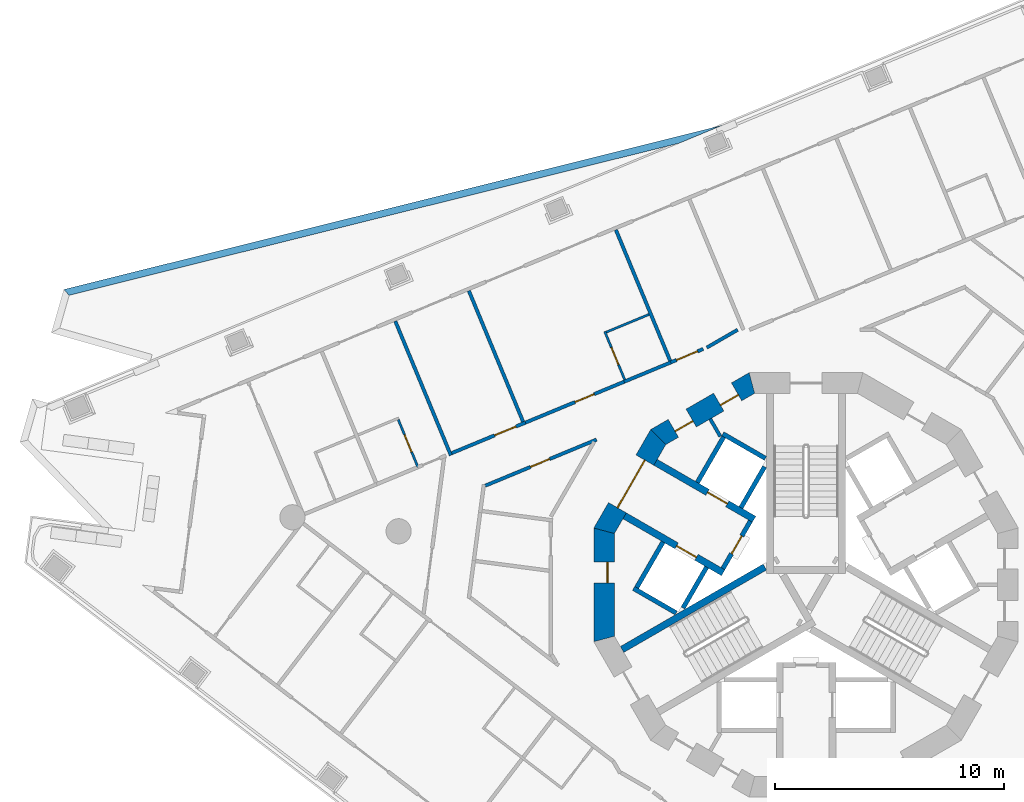
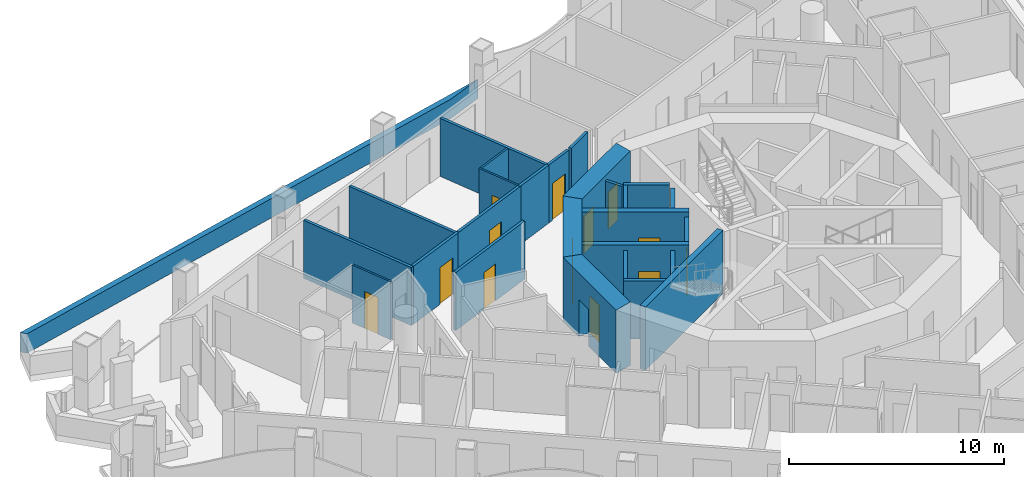
# One storey, part 7 of 19: 27 walls, 13 doors, 13 openings.
"""IFC4 building model written with IfcOpenShell, lengths in metres."""

from ifc_helpers import new_model, si_unit, direction, frame, frame_2d, origin, place, context, subcontext, project, spatial, polyline, rectangle, outline, extrude, material, layer, layer_set, type_object, element, fill, save


model = new_model("IFC4")

# Units and contexts
model_context = context("Model", 3, precision=1e-05, world=origin(), true_north=direction((0.0, 1.0)))
body_context = subcontext(model_context, "Body", "Model", "MODEL_VIEW")
ifc_project = project(units=[si_unit("LENGTHUNIT", "METRE"), si_unit("AREAUNIT", "SQUARE_METRE"), si_unit("VOLUMEUNIT", "CUBIC_METRE"), si_unit("PLANEANGLEUNIT", "RADIAN"), si_unit("MASSUNIT", "GRAM", prefix="KILO")], contexts=[model_context])

# Site, building, storey
site_placement = place(None, origin())
site = spatial("IfcSite", under=ifc_project, at=site_placement, CompositionType="ELEMENT")
building_placement = place(site_placement, origin())
building = spatial("IfcBuilding", under=site, at=building_placement, Name="Trine Commons Tower", CompositionType="ELEMENT")
storey_placement = place(building_placement, frame((0.0, 0.0, 124.199951171875)))
storey = spatial("IfcBuildingStorey", under=building, at=storey_placement, Name="L31", CompositionType="ELEMENT", Elevation=124.199951171875)

# Wall
ifc_material_1 = material(Name="Plasterboard partition on steel studs", Category="steel")
ifc_layer_1 = layer(ifc_material_1, 0.14990234375)
ifc_layer_set_1 = layer_set([ifc_layer_1], Name="Plasterboard partition on steel studs")
wall_type_1 = type_object("IfcWallType", Name="Core room partition 150 mm, EI 60", PredefinedType="PARTITIONING", material=ifc_layer_set_1)
wall_1_placement = place(storey_placement, frame((75.81396484375, 69.7509765625, 0.0), z_axis=(0.0, 0.0, 1.0), x_axis=(0.499890179513, -0.866088799389, 0.0)))
element("IfcWall", 1, at=wall_1_placement, inside=storey, type_object=wall_type_1, Name="Core room partition L31", PredefinedType="PARTITIONING", context=body_context, shape_type="SweptSolid", body=[
    extrude(rectangle(XDim=0.882080078125, YDim=0.14990234375, at=frame_2d((0.44091796875, 0.0))), origin(), (0.0, 0.0, 1.0), 3.300048828125),
])

# Wall, opening, door
ifc_material_2 = material(Name="Fire-rated gypsum shaft wall system")
ifc_layer_2 = layer(ifc_material_2, 0.199951171875)
ifc_layer_set_2 = layer_set([ifc_layer_2], Name="Fire-rated gypsum shaft wall system")
wall_type_2 = type_object("IfcWallType", Name="Lobby end wall 200 mm, EI 120", PredefinedType="PARTITIONING", material=ifc_layer_set_2)
wall_2_placement = place(storey_placement, frame((77.569091796875, 65.2890625, 0.0), z_axis=(0.0, 0.0, 1.0), x_axis=(-0.50012165622, -0.865955154139, 0.0)))
wall_2 = element("IfcWall", 2, at=wall_2_placement, inside=storey, type_object=wall_type_2, Name="Lobby end wall L31", PredefinedType="PARTITIONING", context=body_context, shape_type="SweptSolid", body=[
    extrude(rectangle(XDim=2.39990234375, YDim=0.199951171875, at=frame_2d((1.199951171875, 0.0))), origin(), (0.0, 0.0, 1.0), 3.300048828125),
])
opening_1_placement = place(wall_2_placement, frame((0.749755859375, 0.0, 0.0)))
opening_1 = element("IfcOpeningElement", 3, at=opening_1_placement, cuts=wall_2, Name="Opening K10.07", PredefinedType="OPENING", context=body_context, shape_type="SweptSolid", body=[
    extrude(rectangle(XDim=0.89990234375, YDim=2.10009765625, at=frame_2d((0.449951171875, 1.050048828125))), frame((0.0, 0.10986328125, 0.0), z_axis=(0.0, -1.0, 0.0), x_axis=(1.0, 0.0, 0.0)), (0.0, 0.0, 1.0), 0.219970703125),
])
ifc_material_3 = material(Name="Steel door leaf, fire-rated", Category="steel")
door_type_1 = type_object("IfcDoorType", Name="Riser access door, single leaf 900 x 2100, FD60", OperationType="SINGLE_SWING_LEFT", PredefinedType="DOOR", material=ifc_material_3)
door_1_placement = place(opening_1_placement, frame((0.89990234375, 0.0, 0.0), z_axis=(0.0, 0.0, 1.0), x_axis=(-1.0, 0.0, 0.0)))
door_1 = element("IfcDoor", 4, at=door_1_placement, inside=storey, type_object=door_type_1, Name="Riser door, Mechanical riser L31", OperationType="SINGLE_SWING_RIGHT", OverallHeight=2.10009765625, OverallWidth=0.89990234375, PredefinedType="DOOR", context=body_context, shape_type="SweptSolid", body=[
    extrude(rectangle(XDim=0.89990234375, YDim=2.10009765625, at=frame_2d((0.449951171875, 1.050048828125))), frame((0.0, 0.02490234375, 0.0), z_axis=(0.0, -1.0, 0.0), x_axis=(1.0, 0.0, 0.0)), (0.0, 0.0, 1.0), 0.050048828125),
])
fill(opening_1, door_1)

ifc_material_4 = material(Name="Concrete C70/85", Category="concrete")
ifc_layer_3 = layer(ifc_material_4, 0.300048828125)
ifc_layer_set_3 = layer_set([ifc_layer_3], Name="Concrete C70/85")
wall_type_3 = type_object("IfcWallType", Name="RC shear wall 300 mm, C70/85", PredefinedType="SHEAR", material=ifc_layer_set_3)
wall_3_placement = place(storey_placement, frame((76.381103515625, 63.031005859375, 0.0), z_axis=(0.0, 0.0, 1.0), x_axis=(-0.866080953719, 0.499903772346, 0.0)))
wall_3 = element("IfcWall", 5, at=wall_3_placement, inside=storey, type_object=wall_type_3, Name="Core cross wall SWB-01 L31", PredefinedType="SHEAR", context=body_context, shape_type="SweptSolid", body=[
    extrude(rectangle(XDim=4.97314453125, YDim=0.300048828125, at=frame_2d((2.486572265625, 0.0))), origin(), (0.0, 0.0, 1.0), 3.60009765625),
])
opening_2_placement = place(wall_3_placement, frame((1.350341796875, 0.0, 0.0)))
opening_2 = element("IfcOpeningElement", 6, at=opening_2_placement, cuts=wall_3, Name="Opening LD7", PredefinedType="OPENING", context=body_context, shape_type="SweptSolid", body=[
    extrude(rectangle(XDim=1.0, YDim=2.10009765625, at=frame_2d((0.5, 1.050048828125))), frame((0.0, 0.159912109375, 0.0), z_axis=(0.0, -1.0, 0.0), x_axis=(1.0, 0.0, 0.0)), (0.0, 0.0, 1.0), 0.320068359375),
])
ifc_material_5 = material(Name="Stainless steel sliding door leaves", Category="steel")
door_type_2 = type_object("IfcDoorType", Name="Lift landing door, centre-opening sliding 1000 x 2100, FD90", OperationType="DOUBLE_DOOR_SLIDING", PredefinedType="DOOR", material=ifc_material_5)
door_2_placement = place(opening_2_placement, origin())
door_2 = element("IfcDoor", 7, at=door_2_placement, inside=storey, type_object=door_type_2, Name="Lift landing door HR3 L31", OperationType="DOUBLE_DOOR_SLIDING", OverallHeight=2.10009765625, OverallWidth=1.0, PredefinedType="DOOR", context=body_context, shape_type="SweptSolid", body=[
    extrude(rectangle(XDim=1.0, YDim=2.10009765625, at=frame_2d((0.5, 1.050048828125))), frame((0.0, 0.02490234375, 0.0), z_axis=(0.0, -1.0, 0.0), x_axis=(1.0, 0.0, 0.0)), (0.0, 0.0, 1.0), 0.050048828125),
])
fill(opening_2, door_2)

wall_4_placement = place(storey_placement, frame((77.73095703125, 65.368896484375, 0.0), z_axis=(0.0, 0.0, 1.0), x_axis=(-0.865983655544, 0.500072303102, 0.0)))
wall_4 = element("IfcWall", 8, at=wall_4_placement, inside=storey, type_object=wall_type_3, Name="Core cross wall SWB-02 L31", PredefinedType="SHEAR", context=body_context, shape_type="SweptSolid", body=[
    extrude(rectangle(XDim=4.973388671875, YDim=0.300048828125, at=frame_2d((2.48681640625, 0.0))), origin(), (0.0, 0.0, 1.0), 3.60009765625),
])
opening_3_placement = place(wall_4_placement, frame((1.3505859375, 0.0, 0.0)))
opening_3 = element("IfcOpeningElement", 9, at=opening_3_placement, cuts=wall_4, Name="Opening LD8", PredefinedType="OPENING", context=body_context, shape_type="SweptSolid", body=[
    extrude(rectangle(XDim=1.0, YDim=2.10009765625, at=frame_2d((0.5, 1.050048828125))), frame((0.0, 0.159912109375, 0.0), z_axis=(0.0, -1.0, 0.0), x_axis=(1.0, 0.0, 0.0)), (0.0, 0.0, 1.0), 0.320068359375),
])
door_3_placement = place(opening_3_placement, origin())
door_3 = element("IfcDoor", 10, at=door_3_placement, inside=storey, type_object=door_type_2, Name="Lift landing door HR4 L31", OperationType="DOUBLE_DOOR_SLIDING", OverallHeight=2.10009765625, OverallWidth=1.0, PredefinedType="DOOR", context=body_context, shape_type="SweptSolid", body=[
    extrude(rectangle(XDim=1.0, YDim=2.10009765625, at=frame_2d((0.5, 1.050048828125))), frame((0.0, 0.02490234375, 0.0), z_axis=(0.0, -1.0, 0.0), x_axis=(1.0, 0.0, 0.0)), (0.0, 0.0, 1.0), 0.050048828125),
])
fill(opening_3, door_3)

# Wall
wall_5_placement = place(storey_placement, frame((78.199951171875, 63.280029296875, 0.0), z_axis=(0.0, 0.0, 1.0), x_axis=(-0.866028135082, -0.499995269223, 0.0)))
element("IfcWall", 11, at=wall_5_placement, inside=storey, type_object=wall_type_3, Name="Core cross wall SWB-07 L31", PredefinedType="SHEAR", context=body_context, shape_type="SweptSolid", body=[
    extrude(rectangle(XDim=7.2041015625, YDim=0.300048828125, at=frame_2d((3.60205078125, 0.0))), origin(), (0.0, 0.0, 1.0), 3.60009765625),
])

# Wall, openings, doors
ifc_layer_4 = layer(ifc_material_4, 0.89990234375)
ifc_layer_set_4 = layer_set([ifc_layer_4], Name="Concrete C70/85")
wall_type_4 = type_object("IfcWallType", Name="RC shear wall 900 mm, C70/85", PredefinedType="SHEAR", material=ifc_layer_set_4)
wall_6_placement = place(storey_placement, frame((77.740234375, 71.38330078125, 0.0), z_axis=(0.0, 0.0, 1.0), x_axis=(-0.866003133579, -0.500038571144, 0.0)))
wall_6 = element("IfcWall", 12, at=wall_6_placement, inside=storey, type_object=wall_type_4, Name="Core wall CWD-05 L31", PredefinedType="SHEAR", context=body_context, shape_type="SweptSolid", body=[
    extrude(outline(polyline([(0.0, -0.449951171875), (4.96923828125, -0.449951171875), (4.72802734375, 0.449951171875), (0.2412109375, 0.449951171875), (0.0, -0.449951171875)])), origin(), (0.0, 0.0, 1.0), 3.60009765625),
])
opening_4_placement = place(wall_6_placement, frame((0.89501953125, 0.0, 0.0)))
opening_4 = element("IfcOpeningElement", 13, at=opening_4_placement, cuts=wall_6, Name="Opening K10.13", PredefinedType="OPENING", context=body_context, shape_type="SweptSolid", body=[
    extrude(rectangle(XDim=0.89990234375, YDim=2.10009765625, at=frame_2d((0.449951171875, 1.050048828125))), frame((0.0, 0.4599609375, 0.0), z_axis=(0.0, -1.0, 0.0), x_axis=(1.0, 0.0, 0.0)), (0.0, 0.0, 1.0), 0.919921875),
])
opening_5_placement = place(wall_6_placement, frame((3.18408203125, 0.0, 0.0)))
opening_5 = element("IfcOpeningElement", 14, at=opening_5_placement, cuts=wall_6, Name="Opening K10.14", PredefinedType="OPENING", context=body_context, shape_type="SweptSolid", body=[
    extrude(rectangle(XDim=0.89990234375, YDim=2.10009765625, at=frame_2d((0.449951171875, 1.050048828125))), frame((0.0, 0.4599609375, 0.0), z_axis=(0.0, -1.0, 0.0), x_axis=(1.0, 0.0, 0.0)), (0.0, 0.0, 1.0), 0.919921875),
])
door_type_3 = type_object("IfcDoorType", Name="Core room door, single leaf 900 x 2100, FD30S", OperationType="SINGLE_SWING_LEFT", PredefinedType="DOOR", material=ifc_material_3)
door_4_placement = place(opening_4_placement, origin())
door_4 = element("IfcDoor", 15, at=door_4_placement, inside=storey, type_object=door_type_3, Name="Door to Parcel store L31", OperationType="SINGLE_SWING_LEFT", OverallHeight=2.10009765625, OverallWidth=0.89990234375, PredefinedType="DOOR", context=body_context, shape_type="SweptSolid", body=[
    extrude(rectangle(XDim=0.89990234375, YDim=2.10009765625, at=frame_2d((0.449951171875, 1.050048828125))), frame((0.0, 0.1748046875, 0.0), z_axis=(0.0, -1.0, 0.0), x_axis=(1.0, 0.0, 0.0)), (0.0, 0.0, 1.0), 0.050048828125),
])
fill(opening_4, door_4)
door_5_placement = place(opening_5_placement, origin())
door_5 = element("IfcDoor", 16, at=door_5_placement, inside=storey, type_object=door_type_3, Name="Door to Print room L31", OperationType="SINGLE_SWING_RIGHT", OverallHeight=2.10009765625, OverallWidth=0.89990234375, PredefinedType="DOOR", context=body_context, shape_type="SweptSolid", body=[
    extrude(rectangle(XDim=0.89990234375, YDim=2.10009765625, at=frame_2d((0.449951171875, 1.050048828125))), frame((0.0, 0.1748046875, 0.0), z_axis=(0.0, -1.0, 0.0), x_axis=(1.0, 0.0, 0.0)), (0.0, 0.0, 1.0), 0.050048828125),
])
fill(opening_5, door_5)

# Wall, opening, door
wall_7_placement = place(storey_placement, frame((73.6015625, 69.063232421875, 0.0), z_axis=(0.0, 0.0, 1.0), x_axis=(-0.500038571144, -0.866003133579, 0.0)))
wall_7 = element("IfcWall", 17, at=wall_7_placement, inside=storey, type_object=wall_type_4, Name="Core wall CWD-06 L31", PredefinedType="SHEAR", context=body_context, shape_type="SweptSolid", body=[
    extrude(outline(polyline([(0.0, -0.449951171875), (4.96923828125, -0.449951171875), (4.72802734375, 0.449951171875), (0.2412109375, 0.449951171875), (0.0, -0.449951171875)])), origin(), (0.0, 0.0, 1.0), 3.60009765625),
])
opening_6_placement = place(wall_7_placement, frame((1.28466796875, 0.0, 0.0)))
opening_6 = element("IfcOpeningElement", 18, at=opening_6_placement, cuts=wall_7, Name="Opening K10.06", PredefinedType="OPENING", context=body_context, shape_type="SweptSolid", body=[
    extrude(rectangle(XDim=2.39990234375, YDim=2.10009765625, at=frame_2d((1.199951171875, 1.050048828125))), frame((0.0, 0.4599609375, 0.0), z_axis=(0.0, -1.0, 0.0), x_axis=(1.0, 0.0, 0.0)), (0.0, 0.0, 1.0), 0.919921875),
])
ifc_material_6 = material(Name="Steel door leaves, fire-rated", Category="steel")
door_type_4 = type_object("IfcDoorType", Name="Lobby door, double leaf 2400 x 2100, FD60", OperationType="DOUBLE_DOOR_SINGLE_SWING", PredefinedType="DOOR", material=ifc_material_6)
door_6_placement = place(opening_6_placement, origin())
door_6 = element("IfcDoor", 19, at=door_6_placement, inside=storey, type_object=door_type_4, Name="Lobby door, Passenger lift lobby B L31", OperationType="DOUBLE_DOOR_SINGLE_SWING", OverallHeight=2.10009765625, OverallWidth=2.39990234375, PredefinedType="DOOR", context=body_context, shape_type="SweptSolid", body=[
    extrude(rectangle(XDim=2.39990234375, YDim=2.10009765625, at=frame_2d((1.199951171875, 1.050048828125))), frame((0.0, 0.02490234375, 0.0), z_axis=(0.0, -1.0, 0.0), x_axis=(1.0, 0.0, 0.0)), (0.0, 0.0, 1.0), 0.050048828125),
])
fill(opening_6, door_6)

wall_8_placement = place(storey_placement, frame((71.177001953125, 64.984619140625, 0.0), z_axis=(0.0, 0.0, 1.0), x_axis=(0.0, -1.0, 0.0)))
wall_8 = element("IfcWall", 20, at=wall_8_placement, inside=storey, type_object=wall_type_4, Name="Core wall CWD-07 L31", PredefinedType="SHEAR", context=body_context, shape_type="SweptSolid", body=[
    extrude(outline(polyline([(0.0, -0.449951171875), (4.969482421875, -0.449951171875), (4.728271484375, 0.449951171875), (0.2412109375, 0.449951171875), (0.0, -0.449951171875)])), origin(), (0.0, 0.0, 1.0), 3.60009765625),
])
opening_7_placement = place(wall_8_placement, frame((1.49365234375, 0.0, 0.0)))
opening_7 = element("IfcOpeningElement", 21, at=opening_7_placement, cuts=wall_8, Name="Opening K10.15", PredefinedType="OPENING", context=body_context, shape_type="SweptSolid", body=[
    extrude(rectangle(XDim=0.89990234375, YDim=2.10009765625, at=frame_2d((0.449951171875, 1.050048828125))), frame((0.0, 0.4599609375, 0.0), z_axis=(0.0, -1.0, 0.0), x_axis=(1.0, 0.0, 0.0)), (0.0, 0.0, 1.0), 0.919921875),
])
door_7_placement = place(opening_7_placement, origin())
door_7 = element("IfcDoor", 22, at=door_7_placement, inside=storey, type_object=door_type_3, Name="Door to Cleaner's store L31", OperationType="SINGLE_SWING_LEFT", OverallHeight=2.10009765625, OverallWidth=0.89990234375, PredefinedType="DOOR", context=body_context, shape_type="SweptSolid", body=[
    extrude(rectangle(XDim=0.89990234375, YDim=2.10009765625, at=frame_2d((0.449951171875, 1.050048828125))), frame((0.0, 0.1748046875, 0.0), z_axis=(0.0, -1.0, 0.0), x_axis=(1.0, 0.0, 0.0)), (0.0, 0.0, 1.0), 0.050048828125),
])
fill(opening_7, door_7)

# Walls
ifc_layer_5 = layer(ifc_material_2, 0.199951171875)
ifc_layer_set_5 = layer_set([ifc_layer_5], Name="Fire-rated gypsum shaft wall system")
wall_type_5 = type_object("IfcWallType", Name="Shaft wall 200 mm, EI 120", PredefinedType="PARTITIONING", material=ifc_layer_set_5)
wall_9_placement = place(storey_placement, frame((73.7509765625, 64.3759765625, 0.0), z_axis=(0.0, 0.0, 1.0), x_axis=(-0.500136062276, -0.86594683394, 0.0)))
element("IfcWall", 23, at=wall_9_placement, inside=storey, type_object=wall_type_5, Name="Shaft wall L31", PredefinedType="PARTITIONING", context=body_context, shape_type="SweptSolid", body=[
    extrude(rectangle(XDim=2.299072265625, YDim=0.199951171875, at=frame_2d((1.1494140625, 0.0))), origin(), (0.0, 0.0, 1.0), 3.300048828125),
])
wall_10_placement = place(storey_placement, frame((74.324951171875, 61.27392578125, 0.0), z_axis=(0.0, 0.0, 1.0), x_axis=(-0.866102336459, 0.499866725018, 0.0)))
element("IfcWall", 24, at=wall_10_placement, inside=storey, type_object=wall_type_5, Name="Shaft wall L31", PredefinedType="PARTITIONING", context=body_context, shape_type="SweptSolid", body=[
    extrude(rectangle(XDim=2.1484375, YDim=0.199951171875, at=frame_2d((1.07421875, 0.0))), origin(), (0.0, 0.0, 1.0), 3.300048828125),
])
wall_11_placement = place(storey_placement, frame((75.2509765625, 66.97412109375, 0.0), z_axis=(0.0, 0.0, 1.0), x_axis=(0.500136062276, 0.86594683394, 0.0)))
element("IfcWall", 25, at=wall_11_placement, inside=storey, type_object=wall_type_5, Name="Shaft wall L31", PredefinedType="PARTITIONING", context=body_context, shape_type="SweptSolid", body=[
    extrude(rectangle(XDim=2.299072265625, YDim=0.199951171875, at=frame_2d((1.1494140625, 0.0))), origin(), (0.0, 0.0, 1.0), 3.300048828125),
])
wall_12_placement = place(storey_placement, frame((75.656005859375, 63.27587890625, 0.0), z_axis=(0.0, 0.0, 1.0), x_axis=(-0.500271688072, -0.86586848777, 0.0)))
element("IfcWall", 26, at=wall_12_placement, inside=storey, type_object=wall_type_5, Name="Shaft wall L31", PredefinedType="PARTITIONING", context=body_context, shape_type="SweptSolid", body=[
    extrude(rectangle(XDim=2.064697265625, YDim=0.199951171875, at=frame_2d((1.0322265625, 0.0))), origin(), (0.0, 0.0, 1.0), 3.300048828125),
])
wall_13_placement = place(storey_placement, frame((77.156005859375, 65.8740234375, 0.0), z_axis=(0.0, 0.0, 1.0), x_axis=(0.499865770674, 0.866102887253, 0.0)))
element("IfcWall", 27, at=wall_13_placement, inside=storey, type_object=wall_type_5, Name="Shaft wall L31", PredefinedType="PARTITIONING", context=body_context, shape_type="SweptSolid", body=[
    extrude(rectangle(XDim=2.064453125, YDim=0.199951171875, at=frame_2d((1.0322265625, 0.0))), origin(), (0.0, 0.0, 1.0), 3.300048828125),
])
wall_14_placement = place(storey_placement, frame((78.22509765625, 68.028076171875, 0.0), z_axis=(0.0, 0.0, 1.0), x_axis=(-0.866130725101, 0.499817533742, 0.0)))
element("IfcWall", 28, at=wall_14_placement, inside=storey, type_object=wall_type_5, Name="Shaft wall L31", PredefinedType="PARTITIONING", context=body_context, shape_type="SweptSolid", body=[
    extrude(rectangle(XDim=2.148681640625, YDim=0.199951171875, at=frame_2d((1.07421875, 0.0))), origin(), (0.0, 0.0, 1.0), 3.300048828125),
])
ifc_material_7 = material(Name="Limestone, honed", Category="masonry")
ifc_layer_6 = layer(ifc_material_7, 0.300048828125)
ifc_layer_set_6 = layer_set([ifc_layer_6], Name="Limestone, honed")
wall_type_6 = type_object("IfcWallType", Name="Stone parapet 300", PredefinedType="PARAPET", material=ifc_layer_set_6)
wall_15_placement = place(storey_placement, origin())
element("IfcWall", 29, at=wall_15_placement, inside=storey, type_object=wall_type_6, Name="Sliver roof parapet L30 2.1", PredefinedType="PARAPET", context=body_context, shape_type="SweptSolid", body=[
    extrude(outline(polyline([(76.33251953125, 82.578125), (47.562744140625, 75.405029296875), (47.80322265625, 75.15576171875), (74.457275390625, 81.801513671875), (76.33251953125, 82.578125)])), origin(), (0.0, 0.0, 1.0), 1.10009765625),
])
ifc_material_8 = material(Name="Gypsum plasterboard on steel stud", Category="steel")
ifc_layer_7 = layer(ifc_material_8, 0.14990234375)
ifc_layer_set_7 = layer_set([ifc_layer_7], Name="Gypsum plasterboard on steel stud")
wall_type_7 = type_object("IfcWallType", Name="Unit and corridor wall 150 mm, EI 60", PredefinedType="PARTITIONING", material=ifc_layer_set_7)
wall_16_placement = place(storey_placement, frame((62.05322265625, 74.02197265625, 0.0), z_axis=(0.0, 0.0, 1.0), x_axis=(0.382821977845, -0.923822132923, 0.0)))
element("IfcWall", 30, at=wall_16_placement, inside=storey, type_object=wall_type_7, Name="Partition 017", PredefinedType="PARTITIONING", context=body_context, shape_type="SweptSolid", body=[
    extrude(rectangle(XDim=6.343505859375, YDim=0.14990234375, at=frame_2d((3.171875, 0.0))), origin(), (0.0, 0.0, 1.0), 3.300048828125),
])

# Wall, opening, door
wall_17_placement = place(storey_placement, frame((64.519287109375, 68.2578125, 0.0), z_axis=(0.0, 0.0, 1.0), x_axis=(0.923914357305, 0.382599347053, 0.0)))
wall_17 = element("IfcWall", 31, at=wall_17_placement, inside=storey, type_object=wall_type_7, Name="Partition 024", PredefinedType="PARTITIONING", context=body_context, shape_type="SweptSolid", body=[
    extrude(rectangle(XDim=3.484130859375, YDim=0.14990234375, at=frame_2d((1.7421875, 0.0))), origin(), (0.0, 0.0, 1.0), 3.300048828125),
])
opening_8_placement = place(wall_17_placement, frame((2.030517578125, 0.0, 0.0)))
opening_8 = element("IfcOpeningElement", 32, at=opening_8_placement, cuts=wall_17, Name="Opening D-4A07", PredefinedType="OPENING", context=body_context, shape_type="SweptSolid", body=[
    extrude(rectangle(XDim=1.0, YDim=2.10009765625, at=frame_2d((0.5, 1.050048828125))), frame((0.0, 0.0849609375, 0.0), z_axis=(0.0, -1.0, 0.0), x_axis=(1.0, 0.0, 0.0)), (0.0, 0.0, 1.0), 0.169921875),
])
ifc_material_9 = material(Name="Painted timber", Category="wood")
door_type_5 = type_object("IfcDoorType", Name="Amenity room door 1000 x 2100, NOT RATED", OperationType="NOTDEFINED", PredefinedType="DOOR", material=ifc_material_9)
door_8_placement = place(opening_8_placement, origin())
door_8 = element("IfcDoor", 33, at=door_8_placement, inside=storey, type_object=door_type_5, Name="Door D-4A07", OperationType="SINGLE_SWING_RIGHT", OverallHeight=2.10009765625, OverallWidth=1.0, PredefinedType="DOOR", context=body_context, shape_type="SweptSolid", body=[
    extrude(rectangle(XDim=1.0, YDim=2.10009765625, at=frame_2d((0.5, 1.050048828125))), frame((0.0, 0.02490234375, 0.0), z_axis=(0.0, -1.0, 0.0), x_axis=(1.0, 0.0, 0.0)), (0.0, 0.0, 1.0), 0.050048828125),
])
fill(opening_8, door_8)

# Wall
wall_18_placement = place(storey_placement, frame((65.266357421875, 75.35302734375, 0.0), z_axis=(0.0, 0.0, 1.0), x_axis=(0.382610562407, -0.923909712869, 0.0)))
element("IfcWall", 34, at=wall_18_placement, inside=storey, type_object=wall_type_7, Name="Partition 026", PredefinedType="PARTITIONING", context=body_context, shape_type="SweptSolid", body=[
    extrude(rectangle(XDim=6.19384765625, YDim=0.14990234375, at=frame_2d((3.096923828125, 0.0))), origin(), (0.0, 0.0, 1.0), 3.300048828125),
])

# Wall, opening, door
wall_19_placement = place(storey_placement, frame((65.981201171875, 66.833740234375, 0.0), z_axis=(0.0, 0.0, 1.0), x_axis=(0.923830903719, 0.382800811563, 0.0)))
wall_19 = element("IfcWall", 35, at=wall_19_placement, inside=storey, type_object=wall_type_7, Name="Partition 035", PredefinedType="PARTITIONING", context=body_context, shape_type="SweptSolid", body=[
    extrude(rectangle(XDim=5.26611328125, YDim=0.14990234375, at=frame_2d((2.633056640625, 0.0))), origin(), (0.0, 0.0, 1.0), 3.300048828125),
])
opening_9_placement = place(wall_19_placement, frame((2.1455078125, 0.0, 0.0)))
opening_9 = element("IfcOpeningElement", 36, at=opening_9_placement, cuts=wall_19, Name="Opening D-4A36", PredefinedType="OPENING", context=body_context, shape_type="SweptSolid", body=[
    extrude(rectangle(XDim=0.89990234375, YDim=2.10009765625, at=frame_2d((0.449951171875, 1.050048828125))), frame((0.0, 0.0849609375, 0.0), z_axis=(0.0, -1.0, 0.0), x_axis=(1.0, 0.0, 0.0)), (0.0, 0.0, 1.0), 0.169921875),
])
ifc_material_10 = material(Name="Timber fire door set", Category="wood")
door_type_6 = type_object("IfcDoorType", Name="Service door 900 x 2100, FD30S", OperationType="NOTDEFINED", PredefinedType="DOOR", material=ifc_material_10)
door_9_placement = place(opening_9_placement, frame((0.89990234375, 0.0, 0.0), z_axis=(0.0, 0.0, 1.0), x_axis=(-1.0, 0.0, 0.0)))
door_9 = element("IfcDoor", 37, at=door_9_placement, inside=storey, type_object=door_type_6, Name="Door D-4A36", OperationType="SINGLE_SWING_RIGHT", OverallHeight=2.10009765625, OverallWidth=0.89990234375, PredefinedType="DOOR", context=body_context, shape_type="SweptSolid", body=[
    extrude(rectangle(XDim=0.89990234375, YDim=2.10009765625, at=frame_2d((0.449951171875, 1.050048828125))), frame((0.0, 0.02490234375, 0.0), z_axis=(0.0, -1.0, 0.0), x_axis=(1.0, 0.0, 0.0)), (0.0, 0.0, 1.0), 0.050048828125),
])
fill(opening_9, door_9)

wall_20_placement = place(storey_placement, frame((67.662109375, 69.55908203125, 0.0), z_axis=(0.0, 0.0, 1.0), x_axis=(0.923858526334, 0.382734141827, 0.0)))
wall_20 = element("IfcWall", 38, at=wall_20_placement, inside=storey, type_object=wall_type_7, Name="Partition 037", PredefinedType="PARTITIONING", context=body_context, shape_type="SweptSolid", body=[
    extrude(rectangle(XDim=4.812255859375, YDim=0.14990234375, at=frame_2d((2.40625, 0.0))), origin(), (0.0, 0.0, 1.0), 3.300048828125),
])
opening_10_placement = place(wall_20_placement, frame((2.431396484375, 0.0, 0.0)))
opening_10 = element("IfcOpeningElement", 39, at=opening_10_placement, cuts=wall_20, Name="Opening D-4A08", PredefinedType="OPENING", context=body_context, shape_type="SweptSolid", body=[
    extrude(rectangle(XDim=0.89990234375, YDim=2.10009765625, at=frame_2d((0.449951171875, 1.050048828125))), frame((0.0, 0.0849609375, 0.0), z_axis=(0.0, -1.0, 0.0), x_axis=(1.0, 0.0, 0.0)), (0.0, 0.0, 1.0), 0.169921875),
])
door_type_7 = type_object("IfcDoorType", Name="Bedroom door 900 x 2100, FD30S", OperationType="NOTDEFINED", PredefinedType="DOOR", material=ifc_material_10)
door_10_placement = place(opening_10_placement, origin())
door_10 = element("IfcDoor", 40, at=door_10_placement, inside=storey, type_object=door_type_7, Name="Door D-4A08", OperationType="SINGLE_SWING_RIGHT", OverallHeight=2.10009765625, OverallWidth=0.89990234375, PredefinedType="DOOR", context=body_context, shape_type="SweptSolid", body=[
    extrude(rectangle(XDim=0.89990234375, YDim=2.10009765625, at=frame_2d((0.449951171875, 1.050048828125))), frame((0.0, 0.02490234375, 0.0), z_axis=(0.0, -1.0, 0.0), x_axis=(1.0, 0.0, 0.0)), (0.0, 0.0, 1.0), 0.050048828125),
])
fill(opening_10, door_10)

# Walls
wall_21_placement = place(storey_placement, frame((71.69140625, 78.014892578125, 0.0), z_axis=(0.0, 0.0, 1.0), x_axis=(0.38274513347, -0.923853972663, 0.0)))
element("IfcWall", 41, at=wall_21_placement, inside=storey, type_object=wall_type_7, Name="Partition 046", PredefinedType="PARTITIONING", context=body_context, shape_type="SweptSolid", body=[
    extrude(rectangle(XDim=6.1943359375, YDim=0.14990234375, at=frame_2d((3.09716796875, 0.0))), origin(), (0.0, 0.0, 1.0), 3.300048828125),
])
wall_22_placement = place(storey_placement, frame((72.0546875, 71.37890625, 0.0), z_axis=(0.0, 0.0, 1.0), x_axis=(0.923863223013, 0.382722804604, 0.0)))
element("IfcWall", 42, at=wall_22_placement, inside=storey, type_object=wall_type_7, Name="Partition 048", PredefinedType="PARTITIONING", context=body_context, shape_type="SweptSolid", body=[
    extrude(rectangle(XDim=2.20849609375, YDim=0.14990234375, at=frame_2d((1.104248046875, 0.0))), origin(), (0.0, 0.0, 1.0), 3.300048828125),
])

# Wall, opening, door
wall_23_placement = place(storey_placement, frame((74.087890625, 72.220947265625, 0.0), z_axis=(0.0, 0.0, 1.0), x_axis=(0.923720156635, 0.383067973375, 0.0)))
wall_23 = element("IfcWall", 43, at=wall_23_placement, inside=storey, type_object=wall_type_7, Name="Partition 051", PredefinedType="PARTITIONING", context=body_context, shape_type="SweptSolid", body=[
    extrude(rectangle(XDim=1.535400390625, YDim=0.14990234375, at=frame_2d((0.767578125, 0.0))), origin(), (0.0, 0.0, 1.0), 3.300048828125),
])
opening_11_placement = place(wall_23_placement, frame((0.269287109375, 0.0, 0.0)))
opening_11 = element("IfcOpeningElement", 44, at=opening_11_placement, cuts=wall_23, Name="Opening D-4A09", PredefinedType="OPENING", context=body_context, shape_type="SweptSolid", body=[
    extrude(rectangle(XDim=1.0, YDim=2.10009765625, at=frame_2d((0.5, 1.050048828125))), frame((0.0, 0.0849609375, 0.0), z_axis=(0.0, -1.0, 0.0), x_axis=(1.0, 0.0, 0.0)), (0.0, 0.0, 1.0), 0.169921875),
])
door_11_placement = place(opening_11_placement, origin())
door_11 = element("IfcDoor", 45, at=door_11_placement, inside=storey, type_object=door_type_5, Name="Door D-4A09", OperationType="SINGLE_SWING_RIGHT", OverallHeight=2.10009765625, OverallWidth=1.0, PredefinedType="DOOR", context=body_context, shape_type="SweptSolid", body=[
    extrude(rectangle(XDim=1.0, YDim=2.10009765625, at=frame_2d((0.5, 1.050048828125))), frame((0.0, 0.02490234375, 0.0), z_axis=(0.0, -1.0, 0.0), x_axis=(1.0, 0.0, 0.0)), (0.0, 0.0, 1.0), 0.050048828125),
])
fill(opening_11, door_11)

# Wall
wall_24_placement = place(storey_placement, frame((75.666015625, 72.8701171875, 0.0), z_axis=(0.0, 0.0, 1.0), x_axis=(0.865973841288, 0.500089298231, 0.0)))
element("IfcWall", 46, at=wall_24_placement, inside=storey, type_object=wall_type_7, Name="Partition 055", PredefinedType="PARTITIONING", context=body_context, shape_type="SweptSolid", body=[
    extrude(rectangle(XDim=1.555419921875, YDim=0.14990234375, at=frame_2d((0.77783203125, 0.0))), origin(), (0.0, 0.0, 1.0), 3.300048828125),
])

# Wall, opening, door
ifc_layer_8 = layer(ifc_material_8, 0.10009765625)
ifc_layer_set_8 = layer_set([ifc_layer_8], Name="Gypsum plasterboard on steel stud")
wall_type_8 = type_object("IfcWallType", Name="Unit partition 100 mm, no rating", PredefinedType="PARTITIONING", material=ifc_layer_set_8)
wall_25_placement = place(storey_placement, frame((62.18017578125, 69.724853515625, 0.0), z_axis=(0.0, 0.0, 1.0), x_axis=(0.382958575782, -0.92376551637, 0.0)))
wall_25 = element("IfcWall", 47, at=wall_25_placement, inside=storey, type_object=wall_type_8, Name="Partition 019", PredefinedType="PARTITIONING", context=body_context, shape_type="SweptSolid", body=[
    extrude(rectangle(XDim=2.25048828125, YDim=0.10009765625, at=frame_2d((1.125244140625, 0.0))), origin(), (0.0, 0.0, 1.0), 3.300048828125),
])
opening_12_placement = place(wall_25_placement, frame((0.72509765625, 0.0, 0.0)))
opening_12 = element("IfcOpeningElement", 48, at=opening_12_placement, cuts=wall_25, Name="Opening D-4A40", PredefinedType="OPENING", context=body_context, shape_type="SweptSolid", body=[
    extrude(rectangle(XDim=0.800048828125, YDim=2.10009765625, at=frame_2d((0.39990234375, 1.050048828125))), frame((0.0, 0.06005859375, 0.0), z_axis=(0.0, -1.0, 0.0), x_axis=(1.0, 0.0, 0.0)), (0.0, 0.0, 1.0), 0.1201171875),
])
door_type_8 = type_object("IfcDoorType", Name="Internal door 800 x 2100, NOT RATED", OperationType="NOTDEFINED", PredefinedType="DOOR", material=ifc_material_9)
door_12_placement = place(opening_12_placement, origin())
door_12 = element("IfcDoor", 49, at=door_12_placement, inside=storey, type_object=door_type_8, Name="Door D-4A40", OperationType="SINGLE_SWING_RIGHT", OverallHeight=2.10009765625, OverallWidth=0.800048828125, PredefinedType="DOOR", context=body_context, shape_type="SweptSolid", body=[
    extrude(rectangle(XDim=0.800048828125, YDim=2.10009765625, at=frame_2d((0.39990234375, 1.050048828125))), frame((0.0, 0.02490234375, 0.0), z_axis=(0.0, -1.0, 0.0), x_axis=(1.0, 0.0, 0.0)), (0.0, 0.0, 1.0), 0.050048828125),
])
fill(opening_12, door_12)

wall_26_placement = place(storey_placement, frame((71.204833984375, 73.5712890625, 0.0), z_axis=(0.0, 0.0, 1.0), x_axis=(0.382557141415, -0.923931833824, 0.0)))
wall_26 = element("IfcWall", 50, at=wall_26_placement, inside=storey, type_object=wall_type_8, Name="Partition 043", PredefinedType="PARTITIONING", context=body_context, shape_type="SweptSolid", body=[
    extrude(rectangle(XDim=2.275146484375, YDim=0.10009765625, at=frame_2d((1.1376953125, 0.0))), origin(), (0.0, 0.0, 1.0), 3.300048828125),
])
opening_13_placement = place(wall_26_placement, frame((0.7626953125, 0.0, 0.0)))
opening_13 = element("IfcOpeningElement", 51, at=opening_13_placement, cuts=wall_26, Name="Opening D-4A41", PredefinedType="OPENING", context=body_context, shape_type="SweptSolid", body=[
    extrude(rectangle(XDim=0.800048828125, YDim=2.10009765625, at=frame_2d((0.39990234375, 1.050048828125))), frame((0.0, 0.06005859375, 0.0), z_axis=(0.0, -1.0, 0.0), x_axis=(1.0, 0.0, 0.0)), (0.0, 0.0, 1.0), 0.1201171875),
])
door_13_placement = place(opening_13_placement, frame((0.800048828125, 0.0, 0.0), z_axis=(0.0, 0.0, 1.0), x_axis=(-1.0, 0.0, 0.0)))
door_13 = element("IfcDoor", 52, at=door_13_placement, inside=storey, type_object=door_type_8, Name="Door D-4A41", OperationType="SINGLE_SWING_LEFT", OverallHeight=2.10009765625, OverallWidth=0.800048828125, PredefinedType="DOOR", context=body_context, shape_type="SweptSolid", body=[
    extrude(rectangle(XDim=0.800048828125, YDim=2.10009765625, at=frame_2d((0.39990234375, 1.050048828125))), frame((0.0, 0.02490234375, 0.0), z_axis=(0.0, -1.0, 0.0), x_axis=(1.0, 0.0, 0.0)), (0.0, 0.0, 1.0), 0.050048828125),
])
fill(opening_13, door_13)

# Wall
wall_27_placement = place(storey_placement, frame((71.270263671875, 73.544189453125, 0.0), z_axis=(0.0, 0.0, 1.0), x_axis=(0.923877272036, 0.382688889591, 0.0)))
element("IfcWall", 53, at=wall_27_placement, inside=storey, type_object=wall_type_8, Name="Partition 044", PredefinedType="PARTITIONING", context=body_context, shape_type="SweptSolid", body=[
    extrude(rectangle(XDim=2.025634765625, YDim=0.10009765625, at=frame_2d((1.0126953125, 0.0))), origin(), (0.0, 0.0, 1.0), 3.300048828125),
])

save(model, "model.ifc")
